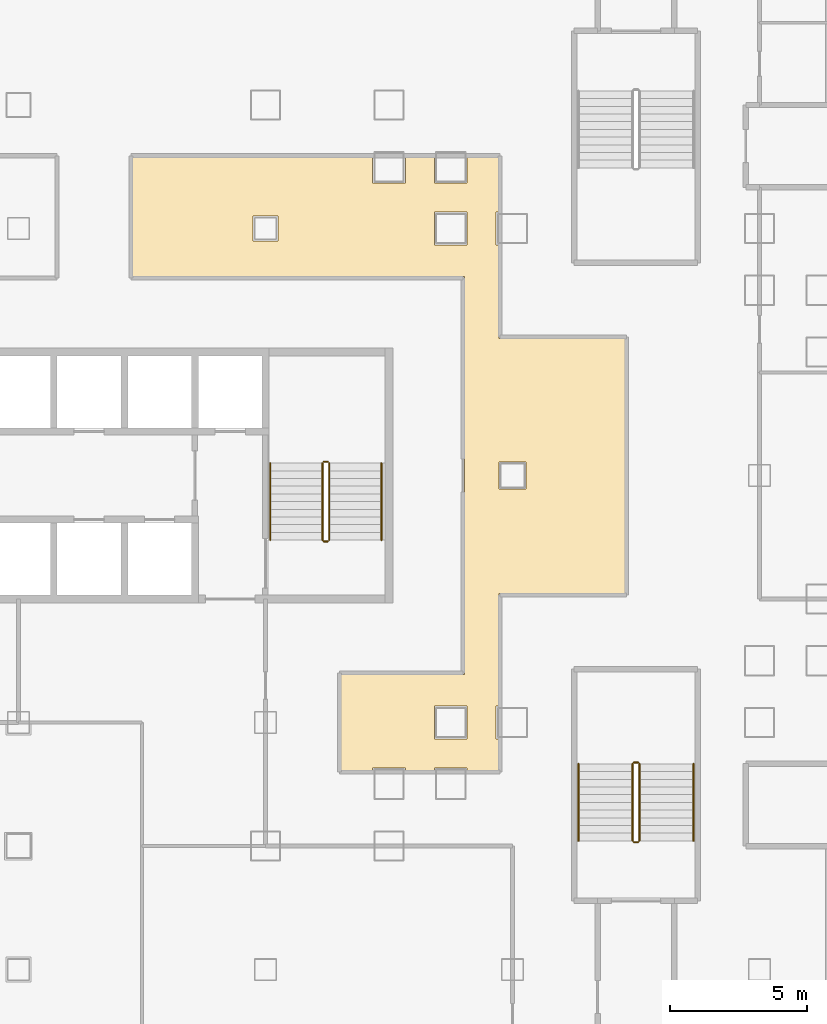
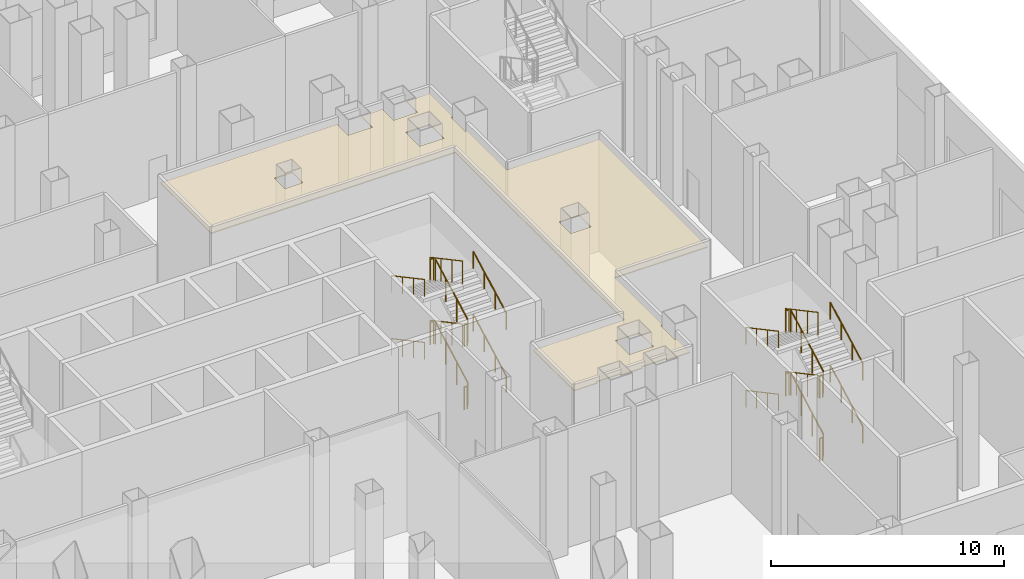
# One storey, part 23 of 26: 24 railings, 1 covering.
"""IFC4 building model written with IfcOpenShell, lengths in metres."""

from ifc_helpers import new_model, si_unit, direction, frame, origin, origin_2d, place, context, subcontext, project, spatial, polyline, circle, outline, extrude, material, layer, layer_set, type_object, element, save


model = new_model("IFC4")

# Units and contexts
model_context = context("Model", 3, precision=1e-05, world=origin(), true_north=direction((0.0, 1.0)))
body_context = subcontext(model_context, "Body", "Model", "MODEL_VIEW")
ifc_project = project(units=[si_unit("LENGTHUNIT", "METRE"), si_unit("AREAUNIT", "SQUARE_METRE"), si_unit("VOLUMEUNIT", "CUBIC_METRE"), si_unit("PLANEANGLEUNIT", "RADIAN"), si_unit("MASSUNIT", "GRAM", prefix="KILO")], contexts=[model_context])

# Site, building, storey
site_placement = place(None, origin())
site = spatial("IfcSite", under=ifc_project, at=site_placement, CompositionType="ELEMENT")
building_placement = place(site_placement, origin())
building = spatial("IfcBuilding", under=site, at=building_placement, Name="Caravel Reach Hotel and Residences", CompositionType="ELEMENT")
storey_placement = place(building_placement, frame((0.0, 0.0, 17.39990234375)))
storey = spatial("IfcBuildingStorey", under=building, at=storey_placement, Name="L03", CompositionType="ELEMENT", Elevation=17.39990234375)

# Covering
ifc_material_1 = material(Name="Mineral fibre ceiling tile")
ifc_layer = layer(ifc_material_1, 0.050048828125)
ifc_layer_set = layer_set([ifc_layer], Name="CL1 Suspended ceiling 50")
covering_type = type_object("IfcCoveringType", Name="CL1 Suspended ceiling 50", PredefinedType="CEILING", material=ifc_layer_set)
covering_placement = place(storey_placement, frame((0.0, 0.0, 5.800048828125)))
element("IfcCovering", 1, at=covering_placement, inside=storey, type_object=covering_type, Name="L03 ceiling Pre-function terrace foyer", PredefinedType="CEILING", context=body_context, shape_type="SweptSolid", body=[
    extrude(outline(polyline([(49.0, 16.25), (49.0, 17.39990234375), (48.89990234375, 17.39990234375), (48.89990234375, 18.60009765625), (49.0, 18.60009765625), (49.0, 22.699951171875), (53.60009765625, 22.699951171875), (53.60009765625, 32.0), (49.0, 32.0), (49.0, 35.39990234375), (48.89990234375, 35.39990234375), (48.89990234375, 36.60009765625), (49.0, 36.60009765625), (49.0, 38.60009765625), (47.85009765625, 38.60009765625), (47.85009765625, 37.64990234375), (46.64990234375, 37.64990234375), (46.64990234375, 38.60009765625), (45.60009765625, 38.60009765625), (45.60009765625, 37.64990234375), (44.39990234375, 37.64990234375), (44.39990234375, 38.60009765625), (35.64990234375, 38.60009765625), (35.64990234375, 34.25), (47.75, 34.25), (47.75, 19.75), (43.25, 19.75), (43.25, 16.25), (44.39990234375, 16.25), (44.39990234375, 16.35009765625), (45.60009765625, 16.35009765625), (45.60009765625, 16.25), (46.64990234375, 16.25), (46.64990234375, 16.35009765625), (47.85009765625, 16.35009765625), (47.85009765625, 16.25), (49.0, 16.25)]), holes=[polyline([(47.85009765625, 17.39990234375), (46.64990234375, 17.39990234375), (46.64990234375, 18.60009765625), (47.85009765625, 18.60009765625), (47.85009765625, 17.39990234375)]), polyline([(46.64990234375, 35.39990234375), (46.64990234375, 36.60009765625), (47.85009765625, 36.60009765625), (47.85009765625, 35.39990234375), (46.64990234375, 35.39990234375)]), polyline([(49.0, 26.5), (49.0, 27.5), (50.0, 27.5), (50.0, 26.5), (49.0, 26.5)]), polyline([(40.050048828125, 35.550048828125), (40.050048828125, 36.449951171875), (40.949951171875, 36.449951171875), (40.949951171875, 35.550048828125), (40.050048828125, 35.550048828125)])]), origin(), (0.0, 0.0, 1.0), 0.050048828125),
])

# Railings
ifc_material_2 = material(Name="Steel balustrade with glass infill", Category="steel")
railing_type_1 = type_object("IfcRailingType", Name="Guard 1200", PredefinedType="GUARDRAIL", material=ifc_material_2)
railing_1_placement = place(storey_placement, frame((42.824951171875, 24.64990234375, 0.150146484375)))
element("IfcRailing", 2, at=railing_1_placement, inside=storey, type_object=railing_type_1, Name="L03 ST-B stair guard 1", PredefinedType="GUARDRAIL", context=body_context, shape_type="SweptSolid", body=[
    extrude(circle(Radius=0.02392578125, at=origin_2d()), frame((0.0, 0.0, 1.17578125), z_axis=(0.0, 0.881483397762, 0.472215014025), x_axis=(-1.0, 0.0, 0.0)), (0.0, 0.0, 1.0), 3.176513671875),
    extrude(circle(Radius=0.02099609375, at=origin_2d()), origin(), (0.0, 0.0, 1.0), 1.15185546875),
    extrude(circle(Radius=0.02099609375, at=origin_2d()), frame((0.0, 0.933349609375, 0.5)), (0.0, 0.0, 1.0), 1.15185546875),
    extrude(circle(Radius=0.02099609375, at=origin_2d()), frame((0.0, 1.86669921875, 1.0)), (0.0, 0.0, 1.0), 1.15185546875),
    extrude(circle(Radius=0.02099609375, at=origin_2d()), frame((0.0, 2.800048828125, 1.5)), (0.0, 0.0, 1.0), 1.15185546875),
])
railing_2_placement = place(storey_placement, frame((42.77490234375, 27.5, 1.650146484375)))
element("IfcRailing", 3, at=railing_2_placement, inside=storey, type_object=railing_type_1, Name="L03 ST-B stair guard 2", PredefinedType="GUARDRAIL", context=body_context, shape_type="SweptSolid", body=[
    extrude(circle(Radius=0.02392578125, at=origin_2d()), frame((0.0, 0.0, 1.17578125), z_axis=(-1.0, 0.0, 0.0), x_axis=(0.0, -1.0, 0.0)), (0.0, 0.0, 1.0), 0.14990234375),
    extrude(circle(Radius=0.02099609375, at=origin_2d()), origin(), (0.0, 0.0, 1.0), 1.15185546875),
    extrude(circle(Radius=0.02099609375, at=origin_2d()), frame((-0.14990234375, 0.0, 0.0)), (0.0, 0.0, 1.0), 1.15185546875),
])
railing_3_placement = place(storey_placement, frame((42.574951171875, 27.449951171875, 1.800048828125)))
element("IfcRailing", 4, at=railing_3_placement, inside=storey, type_object=railing_type_1, Name="L03 ST-B stair guard 3", PredefinedType="GUARDRAIL", context=body_context, shape_type="SweptSolid", body=[
    extrude(circle(Radius=0.02392578125, at=origin_2d()), frame((0.0, 0.0, 1.17578125), z_axis=(0.0, -0.881483397762, 0.472215014025), x_axis=(1.0, 0.0, 0.0)), (0.0, 0.0, 1.0), 3.176513671875),
    extrude(circle(Radius=0.02099609375, at=origin_2d()), origin(), (0.0, 0.0, 1.0), 1.15185546875),
    extrude(circle(Radius=0.02099609375, at=origin_2d()), frame((0.0, -0.933349609375, 0.5)), (0.0, 0.0, 1.0), 1.15185546875),
    extrude(circle(Radius=0.02099609375, at=origin_2d()), frame((0.0, -1.86669921875, 1.0)), (0.0, 0.0, 1.0), 1.15185546875),
    extrude(circle(Radius=0.02099609375, at=origin_2d()), frame((0.0, -2.800048828125, 1.5)), (0.0, 0.0, 1.0), 1.15185546875),
])
railing_4_placement = place(storey_placement, frame((42.77490234375, 24.60009765625, 3.300048828125)))
element("IfcRailing", 5, at=railing_4_placement, inside=storey, type_object=railing_type_1, Name="L03 ST-B stair guard 4", PredefinedType="GUARDRAIL", context=body_context, shape_type="SweptSolid", body=[
    extrude(circle(Radius=0.02392578125, at=origin_2d()), frame((0.0, 0.0, 1.17578125), z_axis=(-1.0, 0.0, 0.0), x_axis=(0.0, -1.0, 0.0)), (0.0, 0.0, 1.0), 0.14990234375),
    extrude(circle(Radius=0.02099609375, at=origin_2d()), origin(), (0.0, 0.0, 1.0), 1.15185546875),
    extrude(circle(Radius=0.02099609375, at=origin_2d()), frame((-0.14990234375, 0.0, 0.0)), (0.0, 0.0, 1.0), 1.15185546875),
])
railing_5_placement = place(storey_placement, frame((42.824951171875, 24.64990234375, 3.4501953125)))
element("IfcRailing", 6, at=railing_5_placement, inside=storey, type_object=railing_type_1, Name="L03 ST-B stair guard 5", PredefinedType="GUARDRAIL", context=body_context, shape_type="SweptSolid", body=[
    extrude(circle(Radius=0.02392578125, at=origin_2d()), frame((0.0, 0.0, 1.17578125), z_axis=(0.0, 0.881483397762, 0.472215014025), x_axis=(-1.0, 0.0, 0.0)), (0.0, 0.0, 1.0), 3.176513671875),
    extrude(circle(Radius=0.02099609375, at=origin_2d()), origin(), (0.0, 0.0, 1.0), 1.15185546875),
    extrude(circle(Radius=0.02099609375, at=origin_2d()), frame((0.0, 0.933349609375, 0.5)), (0.0, 0.0, 1.0), 1.15185546875),
    extrude(circle(Radius=0.02099609375, at=origin_2d()), frame((0.0, 1.86669921875, 1.0)), (0.0, 0.0, 1.0), 1.15185546875),
    extrude(circle(Radius=0.02099609375, at=origin_2d()), frame((0.0, 2.800048828125, 1.5)), (0.0, 0.0, 1.0), 1.15185546875),
])
railing_6_placement = place(storey_placement, frame((42.77490234375, 27.5, 4.9501953125)))
element("IfcRailing", 7, at=railing_6_placement, inside=storey, type_object=railing_type_1, Name="L03 ST-B stair guard 6", PredefinedType="GUARDRAIL", context=body_context, shape_type="SweptSolid", body=[
    extrude(circle(Radius=0.02392578125, at=origin_2d()), frame((0.0, 0.0, 1.17578125), z_axis=(-1.0, 0.0, 0.0), x_axis=(0.0, -1.0, 0.0)), (0.0, 0.0, 1.0), 0.14990234375),
    extrude(circle(Radius=0.02099609375, at=origin_2d()), origin(), (0.0, 0.0, 1.0), 1.15185546875),
    extrude(circle(Radius=0.02099609375, at=origin_2d()), frame((-0.14990234375, 0.0, 0.0)), (0.0, 0.0, 1.0), 1.15185546875),
])
railing_7_placement = place(storey_placement, frame((42.574951171875, 27.449951171875, 5.10009765625)))
element("IfcRailing", 8, at=railing_7_placement, inside=storey, type_object=railing_type_1, Name="L03 ST-B stair guard 7", PredefinedType="GUARDRAIL", context=body_context, shape_type="SweptSolid", body=[
    extrude(circle(Radius=0.02392578125, at=origin_2d()), frame((0.0, 0.0, 1.17578125), z_axis=(0.0, -0.881483397762, 0.472215014025), x_axis=(1.0, 0.0, 0.0)), (0.0, 0.0, 1.0), 3.176513671875),
    extrude(circle(Radius=0.02099609375, at=origin_2d()), origin(), (0.0, 0.0, 1.0), 1.15185546875),
    extrude(circle(Radius=0.02099609375, at=origin_2d()), frame((0.0, -0.933349609375, 0.5)), (0.0, 0.0, 1.0), 1.15185546875),
    extrude(circle(Radius=0.02099609375, at=origin_2d()), frame((0.0, -1.86669921875, 1.0)), (0.0, 0.0, 1.0), 1.15185546875),
    extrude(circle(Radius=0.02099609375, at=origin_2d()), frame((0.0, -2.800048828125, 1.5)), (0.0, 0.0, 1.0), 1.15185546875),
])
railing_8_placement = place(storey_placement, frame((42.77490234375, 24.60009765625, 0.0)))
element("IfcRailing", 9, at=railing_8_placement, inside=storey, type_object=railing_type_1, Name="L03 ST-B stair guard 8", PredefinedType="GUARDRAIL", context=body_context, shape_type="SweptSolid", body=[
    extrude(circle(Radius=0.02392578125, at=origin_2d()), frame((0.0, 0.0, 1.17578125), z_axis=(-1.0, 0.0, 0.0), x_axis=(0.0, -1.0, 0.0)), (0.0, 0.0, 1.0), 0.14990234375),
    extrude(circle(Radius=0.02099609375, at=origin_2d()), origin(), (0.0, 0.0, 1.0), 1.15185546875),
    extrude(circle(Radius=0.02099609375, at=origin_2d()), frame((-0.14990234375, 0.0, 0.0)), (0.0, 0.0, 1.0), 1.15185546875),
])
railing_9_placement = place(storey_placement, frame((54.125, 13.68994140625, 0.150146484375)))
element("IfcRailing", 10, at=railing_9_placement, inside=storey, type_object=railing_type_1, Name="L03 ST-P4 stair guard 1", PredefinedType="GUARDRAIL", context=body_context, shape_type="SweptSolid", body=[
    extrude(circle(Radius=0.02392578125, at=origin_2d()), frame((0.0, 0.0, 1.17578125), z_axis=(0.0, 0.881483397762, 0.472215014025), x_axis=(-1.0, 0.0, 0.0)), (0.0, 0.0, 1.0), 3.176513671875),
    extrude(circle(Radius=0.02099609375, at=origin_2d()), origin(), (0.0, 0.0, 1.0), 1.15185546875),
    extrude(circle(Radius=0.02099609375, at=origin_2d()), frame((0.0, 0.933349609375, 0.5)), (0.0, 0.0, 1.0), 1.15185546875),
    extrude(circle(Radius=0.02099609375, at=origin_2d()), frame((0.0, 1.86669921875, 1.0)), (0.0, 0.0, 1.0), 1.15185546875),
    extrude(circle(Radius=0.02099609375, at=origin_2d()), frame((0.0, 2.800048828125, 1.5)), (0.0, 0.0, 1.0), 1.15185546875),
])
railing_10_placement = place(storey_placement, frame((54.074951171875, 16.5400390625, 1.650146484375)))
element("IfcRailing", 11, at=railing_10_placement, inside=storey, type_object=railing_type_1, Name="L03 ST-P4 stair guard 2", PredefinedType="GUARDRAIL", context=body_context, shape_type="SweptSolid", body=[
    extrude(circle(Radius=0.02392578125, at=origin_2d()), frame((0.0, 0.0, 1.17578125), z_axis=(-1.0, 0.0, 0.0), x_axis=(0.0, -1.0, 0.0)), (0.0, 0.0, 1.0), 0.14990234375),
    extrude(circle(Radius=0.02099609375, at=origin_2d()), origin(), (0.0, 0.0, 1.0), 1.15185546875),
    extrude(circle(Radius=0.02099609375, at=origin_2d()), frame((-0.14990234375, 0.0, 0.0)), (0.0, 0.0, 1.0), 1.15185546875),
])
railing_11_placement = place(storey_placement, frame((53.875, 16.489990234375, 1.800048828125)))
element("IfcRailing", 12, at=railing_11_placement, inside=storey, type_object=railing_type_1, Name="L03 ST-P4 stair guard 3", PredefinedType="GUARDRAIL", context=body_context, shape_type="SweptSolid", body=[
    extrude(circle(Radius=0.02392578125, at=origin_2d()), frame((0.0, 0.0, 1.17578125), z_axis=(0.0, -0.881483397762, 0.472215014025), x_axis=(1.0, 0.0, 0.0)), (0.0, 0.0, 1.0), 3.176513671875),
    extrude(circle(Radius=0.02099609375, at=origin_2d()), origin(), (0.0, 0.0, 1.0), 1.15185546875),
    extrude(circle(Radius=0.02099609375, at=origin_2d()), frame((0.0, -0.933349609375, 0.5)), (0.0, 0.0, 1.0), 1.15185546875),
    extrude(circle(Radius=0.02099609375, at=origin_2d()), frame((0.0, -1.86669921875, 1.0)), (0.0, 0.0, 1.0), 1.15185546875),
    extrude(circle(Radius=0.02099609375, at=origin_2d()), frame((0.0, -2.800048828125, 1.5)), (0.0, 0.0, 1.0), 1.15185546875),
])
railing_12_placement = place(storey_placement, frame((54.074951171875, 13.639892578125, 3.300048828125)))
element("IfcRailing", 13, at=railing_12_placement, inside=storey, type_object=railing_type_1, Name="L03 ST-P4 stair guard 4", PredefinedType="GUARDRAIL", context=body_context, shape_type="SweptSolid", body=[
    extrude(circle(Radius=0.02392578125, at=origin_2d()), frame((0.0, 0.0, 1.17578125), z_axis=(-1.0, 0.0, 0.0), x_axis=(0.0, -1.0, 0.0)), (0.0, 0.0, 1.0), 0.14990234375),
    extrude(circle(Radius=0.02099609375, at=origin_2d()), origin(), (0.0, 0.0, 1.0), 1.15185546875),
    extrude(circle(Radius=0.02099609375, at=origin_2d()), frame((-0.14990234375, 0.0, 0.0)), (0.0, 0.0, 1.0), 1.15185546875),
])
railing_13_placement = place(storey_placement, frame((54.125, 13.68994140625, 3.4501953125)))
element("IfcRailing", 14, at=railing_13_placement, inside=storey, type_object=railing_type_1, Name="L03 ST-P4 stair guard 5", PredefinedType="GUARDRAIL", context=body_context, shape_type="SweptSolid", body=[
    extrude(circle(Radius=0.02392578125, at=origin_2d()), frame((0.0, 0.0, 1.17578125), z_axis=(0.0, 0.881483397762, 0.472215014025), x_axis=(-1.0, 0.0, 0.0)), (0.0, 0.0, 1.0), 3.176513671875),
    extrude(circle(Radius=0.02099609375, at=origin_2d()), origin(), (0.0, 0.0, 1.0), 1.15185546875),
    extrude(circle(Radius=0.02099609375, at=origin_2d()), frame((0.0, 0.933349609375, 0.5)), (0.0, 0.0, 1.0), 1.15185546875),
    extrude(circle(Radius=0.02099609375, at=origin_2d()), frame((0.0, 1.86669921875, 1.0)), (0.0, 0.0, 1.0), 1.15185546875),
    extrude(circle(Radius=0.02099609375, at=origin_2d()), frame((0.0, 2.800048828125, 1.5)), (0.0, 0.0, 1.0), 1.15185546875),
])
railing_14_placement = place(storey_placement, frame((54.074951171875, 16.5400390625, 4.9501953125)))
element("IfcRailing", 15, at=railing_14_placement, inside=storey, type_object=railing_type_1, Name="L03 ST-P4 stair guard 6", PredefinedType="GUARDRAIL", context=body_context, shape_type="SweptSolid", body=[
    extrude(circle(Radius=0.02392578125, at=origin_2d()), frame((0.0, 0.0, 1.17578125), z_axis=(-1.0, 0.0, 0.0), x_axis=(0.0, -1.0, 0.0)), (0.0, 0.0, 1.0), 0.14990234375),
    extrude(circle(Radius=0.02099609375, at=origin_2d()), origin(), (0.0, 0.0, 1.0), 1.15185546875),
    extrude(circle(Radius=0.02099609375, at=origin_2d()), frame((-0.14990234375, 0.0, 0.0)), (0.0, 0.0, 1.0), 1.15185546875),
])
railing_15_placement = place(storey_placement, frame((53.875, 16.489990234375, 5.10009765625)))
element("IfcRailing", 16, at=railing_15_placement, inside=storey, type_object=railing_type_1, Name="L03 ST-P4 stair guard 7", PredefinedType="GUARDRAIL", context=body_context, shape_type="SweptSolid", body=[
    extrude(circle(Radius=0.02392578125, at=origin_2d()), frame((0.0, 0.0, 1.17578125), z_axis=(0.0, -0.881483397762, 0.472215014025), x_axis=(1.0, 0.0, 0.0)), (0.0, 0.0, 1.0), 3.176513671875),
    extrude(circle(Radius=0.02099609375, at=origin_2d()), origin(), (0.0, 0.0, 1.0), 1.15185546875),
    extrude(circle(Radius=0.02099609375, at=origin_2d()), frame((0.0, -0.933349609375, 0.5)), (0.0, 0.0, 1.0), 1.15185546875),
    extrude(circle(Radius=0.02099609375, at=origin_2d()), frame((0.0, -1.86669921875, 1.0)), (0.0, 0.0, 1.0), 1.15185546875),
    extrude(circle(Radius=0.02099609375, at=origin_2d()), frame((0.0, -2.800048828125, 1.5)), (0.0, 0.0, 1.0), 1.15185546875),
])
railing_16_placement = place(storey_placement, frame((54.074951171875, 13.639892578125, 0.0)))
element("IfcRailing", 17, at=railing_16_placement, inside=storey, type_object=railing_type_1, Name="L03 ST-P4 stair guard 8", PredefinedType="GUARDRAIL", context=body_context, shape_type="SweptSolid", body=[
    extrude(circle(Radius=0.02392578125, at=origin_2d()), frame((0.0, 0.0, 1.17578125), z_axis=(-1.0, 0.0, 0.0), x_axis=(0.0, -1.0, 0.0)), (0.0, 0.0, 1.0), 0.14990234375),
    extrude(circle(Radius=0.02099609375, at=origin_2d()), origin(), (0.0, 0.0, 1.0), 1.15185546875),
    extrude(circle(Radius=0.02099609375, at=origin_2d()), frame((-0.14990234375, 0.0, 0.0)), (0.0, 0.0, 1.0), 1.15185546875),
])
ifc_material_3 = material(Name="Stainless steel handrail", Category="steel")
railing_type_2 = type_object("IfcRailingType", Name="Handrail 900", PredefinedType="HANDRAIL", material=ifc_material_3)
railing_17_placement = place(storey_placement, frame((44.72509765625, 24.64990234375, 0.150146484375)))
element("IfcRailing", 18, at=railing_17_placement, inside=storey, type_object=railing_type_2, Name="L03 ST-B stair handrail 1", PredefinedType="HANDRAIL", context=body_context, shape_type="SweptSolid", body=[
    extrude(circle(Radius=0.02392578125, at=origin_2d()), frame((0.0, 0.0, 0.8759765625), z_axis=(0.0, 0.881483397762, 0.472215014025), x_axis=(-1.0, 0.0, 0.0)), (0.0, 0.0, 1.0), 3.176513671875),
    extrude(circle(Radius=0.02099609375, at=origin_2d()), origin(), (0.0, 0.0, 1.0), 0.851806640625),
    extrude(circle(Radius=0.02099609375, at=origin_2d()), frame((0.0, 0.933349609375, 0.5)), (0.0, 0.0, 1.0), 0.851806640625),
    extrude(circle(Radius=0.02099609375, at=origin_2d()), frame((0.0, 1.86669921875, 1.0)), (0.0, 0.0, 1.0), 0.851806640625),
    extrude(circle(Radius=0.02099609375, at=origin_2d()), frame((0.0, 2.800048828125, 1.5)), (0.0, 0.0, 1.0), 0.851806640625),
])
railing_18_placement = place(storey_placement, frame((40.675048828125, 27.449951171875, 1.800048828125)))
element("IfcRailing", 19, at=railing_18_placement, inside=storey, type_object=railing_type_2, Name="L03 ST-B stair handrail 2", PredefinedType="HANDRAIL", context=body_context, shape_type="SweptSolid", body=[
    extrude(circle(Radius=0.02392578125, at=origin_2d()), frame((0.0, 0.0, 0.8759765625), z_axis=(0.0, -0.881483397762, 0.472215014025), x_axis=(1.0, 0.0, 0.0)), (0.0, 0.0, 1.0), 3.176513671875),
    extrude(circle(Radius=0.02099609375, at=origin_2d()), origin(), (0.0, 0.0, 1.0), 0.851806640625),
    extrude(circle(Radius=0.02099609375, at=origin_2d()), frame((0.0, -0.933349609375, 0.5)), (0.0, 0.0, 1.0), 0.851806640625),
    extrude(circle(Radius=0.02099609375, at=origin_2d()), frame((0.0, -1.86669921875, 1.0)), (0.0, 0.0, 1.0), 0.851806640625),
    extrude(circle(Radius=0.02099609375, at=origin_2d()), frame((0.0, -2.800048828125, 1.5)), (0.0, 0.0, 1.0), 0.851806640625),
])
railing_19_placement = place(storey_placement, frame((44.72509765625, 24.64990234375, 3.4501953125)))
element("IfcRailing", 20, at=railing_19_placement, inside=storey, type_object=railing_type_2, Name="L03 ST-B stair handrail 3", PredefinedType="HANDRAIL", context=body_context, shape_type="SweptSolid", body=[
    extrude(circle(Radius=0.02392578125, at=origin_2d()), frame((0.0, 0.0, 0.8759765625), z_axis=(0.0, 0.881483397762, 0.472215014025), x_axis=(-1.0, 0.0, 0.0)), (0.0, 0.0, 1.0), 3.176513671875),
    extrude(circle(Radius=0.02099609375, at=origin_2d()), origin(), (0.0, 0.0, 1.0), 0.851806640625),
    extrude(circle(Radius=0.02099609375, at=origin_2d()), frame((0.0, 0.933349609375, 0.5)), (0.0, 0.0, 1.0), 0.851806640625),
    extrude(circle(Radius=0.02099609375, at=origin_2d()), frame((0.0, 1.86669921875, 1.0)), (0.0, 0.0, 1.0), 0.851806640625),
    extrude(circle(Radius=0.02099609375, at=origin_2d()), frame((0.0, 2.800048828125, 1.5)), (0.0, 0.0, 1.0), 0.851806640625),
])
railing_20_placement = place(storey_placement, frame((40.675048828125, 27.449951171875, 5.10009765625)))
element("IfcRailing", 21, at=railing_20_placement, inside=storey, type_object=railing_type_2, Name="L03 ST-B stair handrail 4", PredefinedType="HANDRAIL", context=body_context, shape_type="SweptSolid", body=[
    extrude(circle(Radius=0.02392578125, at=origin_2d()), frame((0.0, 0.0, 0.8759765625), z_axis=(0.0, -0.881483397762, 0.472215014025), x_axis=(1.0, 0.0, 0.0)), (0.0, 0.0, 1.0), 3.176513671875),
    extrude(circle(Radius=0.02099609375, at=origin_2d()), origin(), (0.0, 0.0, 1.0), 0.851806640625),
    extrude(circle(Radius=0.02099609375, at=origin_2d()), frame((0.0, -0.933349609375, 0.5)), (0.0, 0.0, 1.0), 0.851806640625),
    extrude(circle(Radius=0.02099609375, at=origin_2d()), frame((0.0, -1.86669921875, 1.0)), (0.0, 0.0, 1.0), 0.851806640625),
    extrude(circle(Radius=0.02099609375, at=origin_2d()), frame((0.0, -2.800048828125, 1.5)), (0.0, 0.0, 1.0), 0.851806640625),
])
railing_21_placement = place(storey_placement, frame((56.094970703125, 13.68994140625, 0.150146484375)))
element("IfcRailing", 22, at=railing_21_placement, inside=storey, type_object=railing_type_2, Name="L03 ST-P4 stair handrail 1", PredefinedType="HANDRAIL", context=body_context, shape_type="SweptSolid", body=[
    extrude(circle(Radius=0.02392578125, at=origin_2d()), frame((0.0, 0.0, 0.8759765625), z_axis=(0.0, 0.881483397762, 0.472215014025), x_axis=(-1.0, 0.0, 0.0)), (0.0, 0.0, 1.0), 3.176513671875),
    extrude(circle(Radius=0.02099609375, at=origin_2d()), origin(), (0.0, 0.0, 1.0), 0.851806640625),
    extrude(circle(Radius=0.02099609375, at=origin_2d()), frame((0.0, 0.933349609375, 0.5)), (0.0, 0.0, 1.0), 0.851806640625),
    extrude(circle(Radius=0.02099609375, at=origin_2d()), frame((0.0, 1.86669921875, 1.0)), (0.0, 0.0, 1.0), 0.851806640625),
    extrude(circle(Radius=0.02099609375, at=origin_2d()), frame((0.0, 2.800048828125, 1.5)), (0.0, 0.0, 1.0), 0.851806640625),
])
railing_22_placement = place(storey_placement, frame((51.905029296875, 16.489990234375, 1.800048828125)))
element("IfcRailing", 23, at=railing_22_placement, inside=storey, type_object=railing_type_2, Name="L03 ST-P4 stair handrail 2", PredefinedType="HANDRAIL", context=body_context, shape_type="SweptSolid", body=[
    extrude(circle(Radius=0.02392578125, at=origin_2d()), frame((0.0, 0.0, 0.8759765625), z_axis=(0.0, -0.881483397762, 0.472215014025), x_axis=(1.0, 0.0, 0.0)), (0.0, 0.0, 1.0), 3.176513671875),
    extrude(circle(Radius=0.02099609375, at=origin_2d()), origin(), (0.0, 0.0, 1.0), 0.851806640625),
    extrude(circle(Radius=0.02099609375, at=origin_2d()), frame((0.0, -0.933349609375, 0.5)), (0.0, 0.0, 1.0), 0.851806640625),
    extrude(circle(Radius=0.02099609375, at=origin_2d()), frame((0.0, -1.86669921875, 1.0)), (0.0, 0.0, 1.0), 0.851806640625),
    extrude(circle(Radius=0.02099609375, at=origin_2d()), frame((0.0, -2.800048828125, 1.5)), (0.0, 0.0, 1.0), 0.851806640625),
])
railing_23_placement = place(storey_placement, frame((56.094970703125, 13.68994140625, 3.4501953125)))
element("IfcRailing", 24, at=railing_23_placement, inside=storey, type_object=railing_type_2, Name="L03 ST-P4 stair handrail 3", PredefinedType="HANDRAIL", context=body_context, shape_type="SweptSolid", body=[
    extrude(circle(Radius=0.02392578125, at=origin_2d()), frame((0.0, 0.0, 0.8759765625), z_axis=(0.0, 0.881483397762, 0.472215014025), x_axis=(-1.0, 0.0, 0.0)), (0.0, 0.0, 1.0), 3.176513671875),
    extrude(circle(Radius=0.02099609375, at=origin_2d()), origin(), (0.0, 0.0, 1.0), 0.851806640625),
    extrude(circle(Radius=0.02099609375, at=origin_2d()), frame((0.0, 0.933349609375, 0.5)), (0.0, 0.0, 1.0), 0.851806640625),
    extrude(circle(Radius=0.02099609375, at=origin_2d()), frame((0.0, 1.86669921875, 1.0)), (0.0, 0.0, 1.0), 0.851806640625),
    extrude(circle(Radius=0.02099609375, at=origin_2d()), frame((0.0, 2.800048828125, 1.5)), (0.0, 0.0, 1.0), 0.851806640625),
])
railing_24_placement = place(storey_placement, frame((51.905029296875, 16.489990234375, 5.10009765625)))
element("IfcRailing", 25, at=railing_24_placement, inside=storey, type_object=railing_type_2, Name="L03 ST-P4 stair handrail 4", PredefinedType="HANDRAIL", context=body_context, shape_type="SweptSolid", body=[
    extrude(circle(Radius=0.02392578125, at=origin_2d()), frame((0.0, 0.0, 0.8759765625), z_axis=(0.0, -0.881483397762, 0.472215014025), x_axis=(1.0, 0.0, 0.0)), (0.0, 0.0, 1.0), 3.176513671875),
    extrude(circle(Radius=0.02099609375, at=origin_2d()), origin(), (0.0, 0.0, 1.0), 0.851806640625),
    extrude(circle(Radius=0.02099609375, at=origin_2d()), frame((0.0, -0.933349609375, 0.5)), (0.0, 0.0, 1.0), 0.851806640625),
    extrude(circle(Radius=0.02099609375, at=origin_2d()), frame((0.0, -1.86669921875, 1.0)), (0.0, 0.0, 1.0), 0.851806640625),
    extrude(circle(Radius=0.02099609375, at=origin_2d()), frame((0.0, -2.800048828125, 1.5)), (0.0, 0.0, 1.0), 0.851806640625),
])

save(model, "model.ifc")
